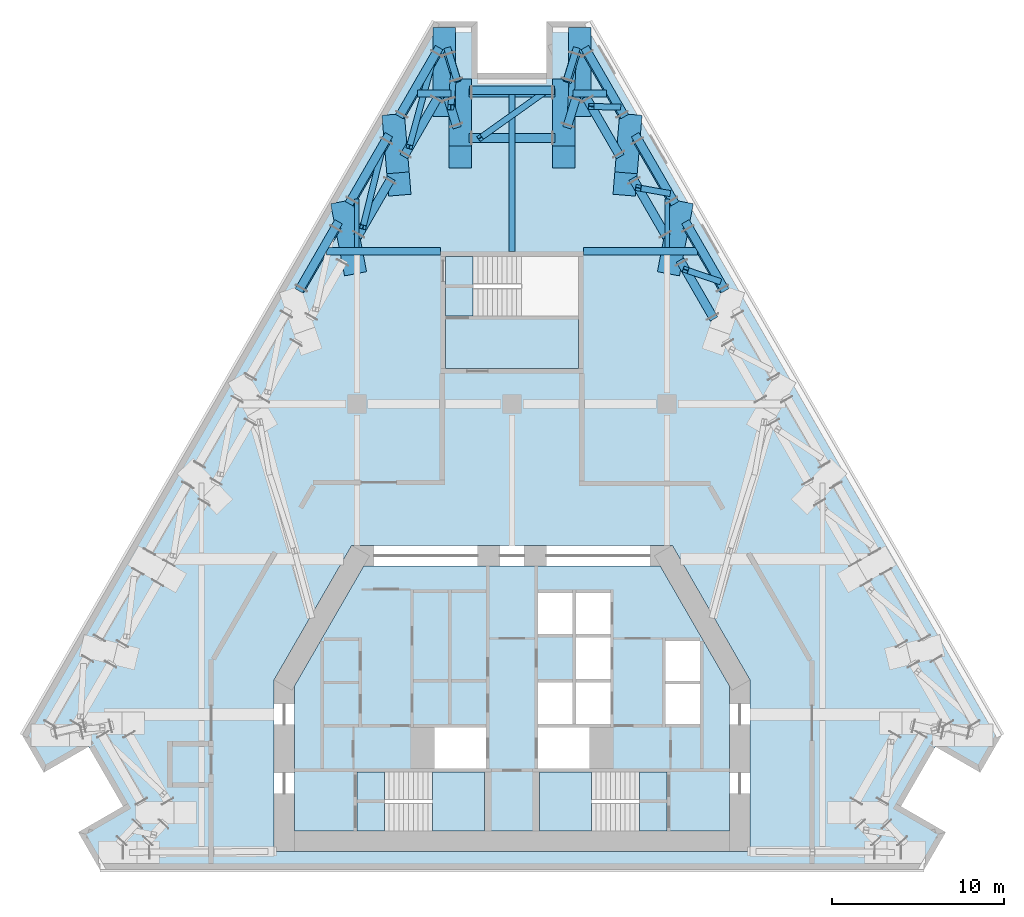
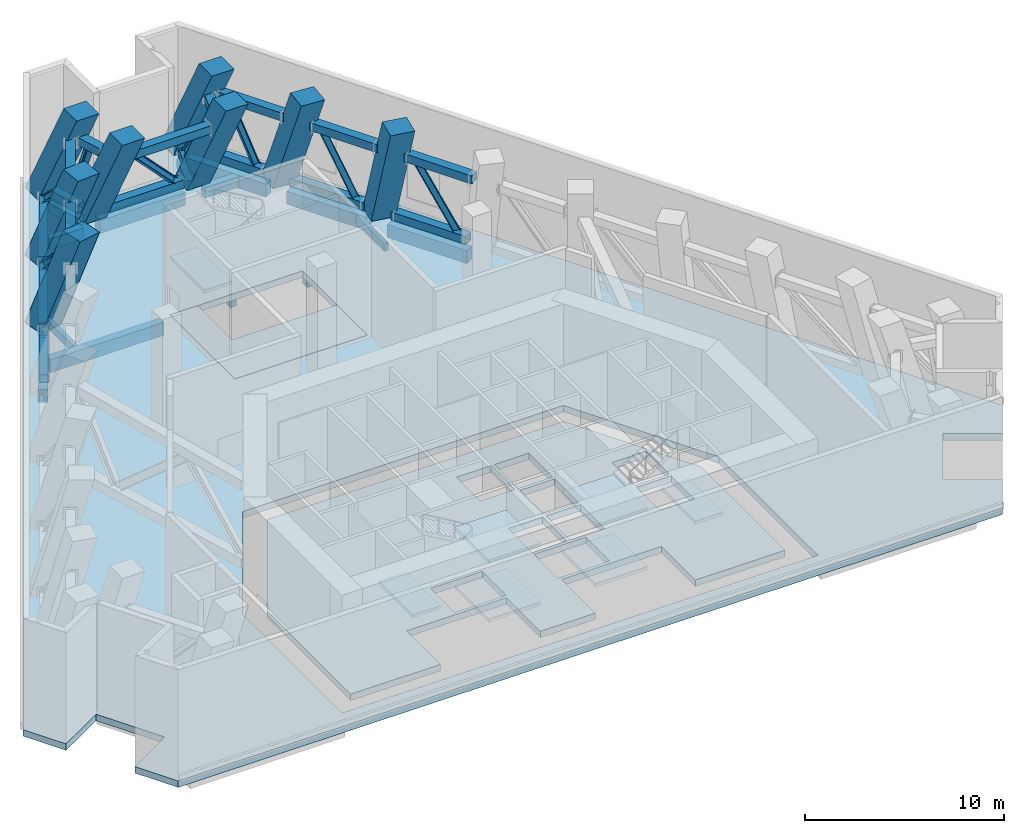
# One storey, part 3 of 13: 33 members, 16 beams, 10 slabs, 3 elements without a shape of their own.
"""IFC4 building model written with IfcOpenShell, lengths in metres."""

from ifc_helpers import new_model, si_unit, direction, frame, origin, origin_2d, place, context, subcontext, project, spatial, polyline, rectangle, hollow_rectangle, i_section, outline, extrude, material, layer, layer_set, material_profile, profile_set, type_object, element, aggregate, save


model = new_model("IFC4")

# Units and contexts
model_context = context("Model", 3, precision=1e-05, world=origin(), true_north=direction((0.0, 1.0)))
body_context = subcontext(model_context, "Body", "Model", "MODEL_VIEW")
ifc_project = project(units=[si_unit("LENGTHUNIT", "METRE"), si_unit("AREAUNIT", "SQUARE_METRE"), si_unit("VOLUMEUNIT", "CUBIC_METRE"), si_unit("PLANEANGLEUNIT", "RADIAN"), si_unit("MASSUNIT", "GRAM", prefix="KILO")], contexts=[model_context])

# Site, building, storey
site_placement = place(None, origin())
site = spatial("IfcSite", under=ifc_project, at=site_placement, CompositionType="ELEMENT")
building_placement = place(site_placement, origin())
building = spatial("IfcBuilding", under=site, at=building_placement, Name="Fogline Exchange Tower", CompositionType="ELEMENT")
storey_placement = place(building_placement, frame((0.0, 0.0, 174.89990234375)))
storey = spatial("IfcBuildingStorey", under=building, at=storey_placement, Name="L39", CompositionType="ELEMENT", Elevation=174.89990234375)

# Beams
ifc_material_1 = material(Name="Concrete C40", Category="concrete")
ifc_material_profile_1 = material_profile(ifc_material_1, rectangle(XDim=0.25, YDim=0.5, at=origin_2d()), Name="RC 250x500")
ifc_profile_set_1 = profile_set([ifc_material_profile_1], Name="Concrete C40")
beam_type_1 = type_object("IfcBeamType", Name="B08", PredefinedType="BEAM", material=ifc_profile_set_1)
for number, where, z_axis, x_axis, name in (
    (1, (-9.0, 36.08203125, -0.64990234375), (0.0, 1.0, 0.0), (-1.0, 0.0, 0.0), "SB006"),
    (2, (9.0, 36.08203125, -0.64990234375), (0.0, 1.0, 0.0), (-1.0, 0.0, 0.0), "SB011"),
):
    element("IfcBeam", number, at=place(storey_placement, frame(where, z_axis=z_axis, x_axis=x_axis)), inside=storey, type_object=beam_type_1, Name=name, PredefinedType="BEAM", context=body_context, shape_type="SweptSolid", body=[
        extrude(rectangle(XDim=0.25, YDim=0.5, at=origin_2d()), origin(), (0.0, 0.0, 1.0), 2.8203125),
    ])
ifc_material_profile_2 = material_profile(ifc_material_1, rectangle(XDim=0.5, YDim=0.800048828125, at=origin_2d()), Name="RC 500x800")
ifc_profile_set_2 = profile_set([ifc_material_profile_2], Name="Concrete C40")
beam_type_2 = type_object("IfcBeamType", Name="B10", PredefinedType="BEAM", material=ifc_profile_set_2)
for number, where, z_axis, x_axis, name in (
    (3, (12.366943359375, 33.57080078125, -0.7998046875), (-0.500004591975, 0.86602275259, 0.0), (-0.86602275259, -0.500004591975, 0.0), "RB014"),
    (4, (9.451171875, 38.62109375, -0.7998046875), (-0.500004591975, 0.86602275259, 0.0), (-0.86602275259, -0.500004591975, 0.0), "RB015"),
    (5, (6.535400390625, 43.67138671875, -0.7998046875), (-0.500004591975, 0.86602275259, 0.0), (-0.86602275259, -0.500004591975, 0.0), "RB016"),
):
    element("IfcBeam", number, at=place(storey_placement, frame(where, z_axis=z_axis, x_axis=x_axis)), inside=storey, type_object=beam_type_2, Name=name, PredefinedType="BEAM", context=body_context, shape_type="SweptSolid", body=[
        extrude(rectangle(XDim=0.5, YDim=0.800048828125, at=origin_2d()), origin(), (0.0, 0.0, 1.0), 4.619140625),
    ])
beam_1_placement = place(storey_placement, frame((2.47509765625, 45.19677734375, -0.7998046875), z_axis=(-1.0, 0.0, 0.0), x_axis=(0.0, -1.0, 0.0)))
element("IfcBeam", 6, at=beam_1_placement, inside=storey, type_object=beam_type_2, Name="RB018", PredefinedType="BEAM", context=body_context, shape_type="SweptSolid", body=[
    extrude(rectangle(XDim=0.5, YDim=0.800048828125, at=origin_2d()), origin(), (0.0, 0.0, 1.0), 4.9501953125),
])
for number, where, z_axis, x_axis, name in (
    (7, (-4.225830078125, 47.671630859375, -0.7998046875), (-0.500004591975, -0.86602275259, 0.0), (0.86602275259, -0.500004591975, 0.0), "RB020"),
    (8, (-7.1416015625, 42.621337890625, -0.7998046875), (-0.500004591975, -0.86602275259, 0.0), (0.86602275259, -0.500004591975, 0.0), "RB021"),
    (9, (-10.057373046875, 37.571044921875, -0.7998046875), (-0.500004591975, -0.86602275259, 0.0), (0.86602275259, -0.500004591975, 0.0), "RB022"),
):
    element("IfcBeam", number, at=place(storey_placement, frame(where, z_axis=z_axis, x_axis=x_axis)), inside=storey, type_object=beam_type_2, Name=name, PredefinedType="BEAM", context=body_context, shape_type="SweptSolid", body=[
        extrude(rectangle(XDim=0.5, YDim=0.800048828125, at=origin_2d()), origin(), (0.0, 0.0, 1.0), 4.619140625),
    ])
ifc_material_profile_3 = material_profile(ifc_material_1, rectangle(XDim=0.39990234375, YDim=0.60009765625, at=origin_2d()), Name="RC 400x600")
ifc_profile_set_3 = profile_set([ifc_material_profile_3], Name="Concrete C40")
beam_type_3 = type_object("IfcBeamType", Name="B11", PredefinedType="BEAM", material=ifc_profile_set_3)
for number, where, z_axis, x_axis, name in (
    (10, (3.76123046875, 47.671630859375, -0.699951171875), (-0.293917654764, -0.955830744545, 0.0), (0.955830744545, -0.293917654764, 0.0), "RB017"),
    (11, (-3.16162109375, 45.7216796875, -0.699951171875), (-0.293917654764, 0.955830744545, 0.0), (-0.955830744545, -0.293917654764, 0.0), "RB019"),
):
    element("IfcBeam", number, at=place(storey_placement, frame(where, z_axis=z_axis, x_axis=x_axis)), inside=storey, type_object=beam_type_3, Name=name, PredefinedType="BEAM", context=body_context, shape_type="SweptSolid", body=[
        extrude(rectangle(XDim=0.39990234375, YDim=0.60009765625, at=origin_2d()), origin(), (0.0, 0.0, 1.0), 2.0400390625),
    ])
ifc_material_profile_4 = material_profile(ifc_material_1, rectangle(XDim=0.39990234375, YDim=0.64990234375, at=origin_2d()), Name="RC 400x650")
ifc_profile_set_4 = profile_set([ifc_material_profile_4], Name="Concrete C40")
beam_type_4 = type_object("IfcBeamType", Name="B13", PredefinedType="BEAM", material=ifc_profile_set_4)
for number, where, z_axis, x_axis, name in (
    (12, (-5.4794921875, 45.0, -0.724853515625), (1.0, 0.0, 0.0), (0.0, 1.0, 0.0), "GB011"),
    (13, (3.52490234375, 45.0, -0.724853515625), (1.0, 0.0, 0.0), (0.0, 1.0, 0.0), "GB012"),
):
    element("IfcBeam", number, at=place(storey_placement, frame(where, z_axis=z_axis, x_axis=x_axis)), inside=storey, type_object=beam_type_4, Name=name, PredefinedType="BEAM", context=body_context, shape_type="SweptSolid", body=[
        extrude(rectangle(XDim=0.39990234375, YDim=0.64990234375, at=origin_2d()), origin(), (0.0, 0.0, 1.0), 1.95458984375),
    ])
ifc_material_profile_5 = material_profile(ifc_material_1, rectangle(XDim=0.35009765625, YDim=0.64990234375, at=origin_2d()), Name="RC 350x650")
ifc_profile_set_5 = profile_set([ifc_material_profile_5], Name="Concrete C40")
beam_type_5 = type_object("IfcBeamType", Name="B16", PredefinedType="BEAM", material=ifc_profile_set_5)
beam_2_placement = place(storey_placement, frame((0.0, 35.85693359375, -0.724853515625), z_axis=(0.0, 1.0, 0.0), x_axis=(-1.0, 0.0, 0.0)))
element("IfcBeam", 14, at=beam_2_placement, inside=storey, type_object=beam_type_5, Name="SB008", PredefinedType="BEAM", context=body_context, shape_type="SweptSolid", body=[
    extrude(rectangle(XDim=0.35009765625, YDim=0.64990234375, at=origin_2d()), origin(), (0.0, 0.0, 1.0), 9.08984375),
])
ifc_material_profile_6 = material_profile(ifc_material_1, rectangle(XDim=0.449951171875, YDim=0.800048828125, at=origin_2d()), Name="RC 450x800")
ifc_profile_set_6 = profile_set([ifc_material_profile_6], Name="Concrete C40")
beam_type_6 = type_object("IfcBeamType", Name="B18", PredefinedType="BEAM", material=ifc_profile_set_6)
for number, where, z_axis, x_axis, name in (
    (15, (-10.75830078125, 35.85693359375, -0.7998046875), (1.0, 0.0, 0.0), (0.0, 1.0, 0.0), "GB009"),
    (16, (4.14990234375, 35.85693359375, -0.7998046875), (1.0, 0.0, 0.0), (0.0, 1.0, 0.0), "GB010"),
):
    element("IfcBeam", number, at=place(storey_placement, frame(where, z_axis=z_axis, x_axis=x_axis)), inside=storey, type_object=beam_type_6, Name=name, PredefinedType="BEAM", context=body_context, shape_type="SweptSolid", body=[
        extrude(rectangle(XDim=0.449951171875, YDim=0.800048828125, at=origin_2d()), origin(), (0.0, 0.0, 1.0), 6.6083984375),
    ])

# Members
ifc_material_2 = material(Name="Steel Q355B", Category="steel")
ifc_material_profile_7 = material_profile(ifc_material_2, hollow_rectangle(XDim=0.5, YDim=0.5, WallThickness=0.02490234375, at=origin_2d()), Name="BOX500X500X25")
ifc_profile_set_7 = profile_set([ifc_material_profile_7], Name="Steel Q355B")
member_type_1 = type_object("IfcMemberType", Name="M05", PredefinedType="CHORD", material=ifc_profile_set_7)
member_1_placement = place(storey_placement, frame((12.285888671875, 33.576416015625, 0.25), z_axis=(-0.499971774539, 0.866041699148, 0.0), x_axis=(-0.866041699148, -0.499971774539, 0.0)))
element("IfcMember", 17, at=member_1_placement, inside=storey, type_object=member_type_1, Name="Belt truss chord BT13-1-BC", PredefinedType="CHORD", context=body_context, shape_type="SweptSolid", body=[
    extrude(hollow_rectangle(XDim=0.5, YDim=0.5, WallThickness=0.02490234375, at=origin_2d()), origin(), (0.0, 0.0, 1.0), 4.322998046875),
])
member_2_placement = place(storey_placement, frame((11.7158203125, 31.930419921875, 5.150146484375), z_axis=(-0.500008319083, 0.866020600706, 0.0), x_axis=(-0.866020600706, -0.500008319083, 0.0)))
element("IfcMember", 18, at=member_2_placement, inside=storey, type_object=member_type_1, Name="Belt truss chord BT13-1-TC", PredefinedType="CHORD", context=body_context, shape_type="SweptSolid", body=[
    extrude(hollow_rectangle(XDim=0.5, YDim=0.5, WallThickness=0.02490234375, at=origin_2d()), origin(), (0.0, 0.0, 1.0), 3.94287109375),
])
member_3_placement = place(storey_placement, frame((9.34521484375, 38.67041015625, 0.25), z_axis=(-0.500039660922, 0.86600250433, 0.0), x_axis=(-0.86600250433, -0.500039660922, 0.0)))
element("IfcMember", 19, at=member_3_placement, inside=storey, type_object=member_type_1, Name="Belt truss chord BT14-1-BC", PredefinedType="CHORD", context=body_context, shape_type="SweptSolid", body=[
    extrude(hollow_rectangle(XDim=0.5, YDim=0.5, WallThickness=0.02490234375, at=origin_2d()), origin(), (0.0, 0.0, 1.0), 4.308349609375),
])
member_4_placement = place(storey_placement, frame((8.96484375, 36.695068359375, 5.150146484375), z_axis=(-0.499962770326, 0.86604689728, 0.0), x_axis=(-0.86604689728, -0.499962770326, 0.0)))
element("IfcMember", 20, at=member_4_placement, inside=storey, type_object=member_type_1, Name="Belt truss chord BT14-1-TC", PredefinedType="CHORD", context=body_context, shape_type="SweptSolid", body=[
    extrude(hollow_rectangle(XDim=0.5, YDim=0.5, WallThickness=0.02490234375, at=origin_2d()), origin(), (0.0, 0.0, 1.0), 3.927978515625),
])
member_5_placement = place(storey_placement, frame((6.466552734375, 43.656005859375, 0.25), z_axis=(-0.500006757851, 0.866021502102, 0.0), x_axis=(-0.866021502102, -0.500006757851, 0.0)))
element("IfcMember", 21, at=member_5_placement, inside=storey, type_object=member_type_1, Name="Belt truss chord BT15-1-BC", PredefinedType="CHORD", context=body_context, shape_type="SweptSolid", body=[
    extrude(hollow_rectangle(XDim=0.5, YDim=0.5, WallThickness=0.02490234375, at=origin_2d()), origin(), (0.0, 0.0, 1.0), 4.3857421875),
])
member_6_placement = place(storey_placement, frame((6.276611328125, 41.3515625, 5.150146484375), z_axis=(-0.500019656837, 0.866014054607, 0.0), x_axis=(-0.866014054607, -0.500019656837, 0.0)))
element("IfcMember", 22, at=member_6_placement, inside=storey, type_object=member_type_1, Name="Belt truss chord BT15-1-TC", PredefinedType="CHORD", context=body_context, shape_type="SweptSolid", body=[
    extrude(hollow_rectangle(XDim=0.5, YDim=0.5, WallThickness=0.02490234375, at=origin_2d()), origin(), (0.0, 0.0, 1.0), 4.005615234375),
])
member_7_placement = place(storey_placement, frame((3.73974609375, 47.4677734375, 0.25), z_axis=(-0.293913807839, -0.955831927465, 0.0), x_axis=(0.955831927465, -0.293913807839, 0.0)))
element("IfcMember", 23, at=member_7_placement, inside=storey, type_object=member_type_1, Name="Belt truss chord BT16-1-BC", PredefinedType="CHORD", context=body_context, shape_type="SweptSolid", body=[
    extrude(hollow_rectangle(XDim=0.5, YDim=0.5, WallThickness=0.02490234375, at=origin_2d()), origin(), (0.0, 0.0, 1.0), 1.894775390625),
])
member_8_placement = place(storey_placement, frame((3.73974609375, 44.833984375, 5.150146484375), z_axis=(-0.293950011058, -0.955820794396, 0.0), x_axis=(0.955820794396, -0.293950011058, 0.0)))
element("IfcMember", 24, at=member_8_placement, inside=storey, type_object=member_type_1, Name="Belt truss chord BT16-1-TC", PredefinedType="CHORD", context=body_context, shape_type="SweptSolid", body=[
    extrude(hollow_rectangle(XDim=0.5, YDim=0.5, WallThickness=0.02490234375, at=origin_2d()), origin(), (0.0, 0.0, 1.0), 1.89453125),
])
for number, where, z_axis, x_axis, name in (
    (25, (2.5, 45.062255859375, 0.25), (-1.0, 0.0, 0.0), (0.0, -1.0, 0.0), "Belt truss chord BT17-1-BC"),
    (26, (2.5, 42.428466796875, 5.150146484375), (-1.0, 0.0, 0.0), (0.0, -1.0, 0.0), "Belt truss chord BT17-1-TC"),
):
    element("IfcMember", number, at=place(storey_placement, frame(where, z_axis=z_axis, x_axis=x_axis)), inside=storey, type_object=member_type_1, Name=name, PredefinedType="CHORD", context=body_context, shape_type="SweptSolid", body=[
        extrude(hollow_rectangle(XDim=0.5, YDim=0.5, WallThickness=0.02490234375, at=origin_2d()), origin(), (0.0, 0.0, 1.0), 5.0),
    ])
member_9_placement = place(storey_placement, frame((-3.182861328125, 45.65673828125, 0.25), z_axis=(-0.293913807839, 0.955831927465, 0.0), x_axis=(-0.955831927465, -0.293913807839, 0.0)))
element("IfcMember", 27, at=member_9_placement, inside=storey, type_object=member_type_1, Name="Belt truss chord BT18-1-BC", PredefinedType="CHORD", context=body_context, shape_type="SweptSolid", body=[
    extrude(hollow_rectangle(XDim=0.5, YDim=0.5, WallThickness=0.02490234375, at=origin_2d()), origin(), (0.0, 0.0, 1.0), 1.894775390625),
])
member_10_placement = place(storey_placement, frame((-3.182861328125, 43.023193359375, 5.150146484375), z_axis=(-0.293950011058, 0.955820794396, 0.0), x_axis=(-0.955820794396, -0.293950011058, 0.0)))
element("IfcMember", 28, at=member_10_placement, inside=storey, type_object=member_type_1, Name="Belt truss chord BT18-1-TC", PredefinedType="CHORD", context=body_context, shape_type="SweptSolid", body=[
    extrude(hollow_rectangle(XDim=0.5, YDim=0.5, WallThickness=0.02490234375, at=origin_2d()), origin(), (0.0, 0.0, 1.0), 1.89453125),
])
member_11_placement = place(storey_placement, frame((-4.273681640625, 47.4541015625, 0.25), z_axis=(-0.500006757851, -0.866021502102, 0.0), x_axis=(0.866021502102, -0.500006757851, 0.0)))
element("IfcMember", 29, at=member_11_placement, inside=storey, type_object=member_type_1, Name="Belt truss chord BT19-1-BC", PredefinedType="CHORD", context=body_context, shape_type="SweptSolid", body=[
    extrude(hollow_rectangle(XDim=0.5, YDim=0.5, WallThickness=0.02490234375, at=origin_2d()), origin(), (0.0, 0.0, 1.0), 4.3857421875),
])
member_12_placement = place(storey_placement, frame((-4.273681640625, 44.820556640625, 5.150146484375), z_axis=(-0.500019656837, -0.866014054607, 0.0), x_axis=(0.866014054607, -0.500019656837, 0.0)))
element("IfcMember", 30, at=member_12_placement, inside=storey, type_object=member_type_1, Name="Belt truss chord BT19-1-TC", PredefinedType="CHORD", context=body_context, shape_type="SweptSolid", body=[
    extrude(hollow_rectangle(XDim=0.5, YDim=0.5, WallThickness=0.02490234375, at=origin_2d()), origin(), (0.0, 0.0, 1.0), 4.005615234375),
])
member_13_placement = place(storey_placement, frame((-7.19091796875, 42.4013671875, 0.25), z_axis=(-0.500039660922, -0.86600250433, 0.0), x_axis=(0.86600250433, -0.500039660922, 0.0)))
element("IfcMember", 31, at=member_13_placement, inside=storey, type_object=member_type_1, Name="Belt truss chord BT20-1-BC", PredefinedType="CHORD", context=body_context, shape_type="SweptSolid", body=[
    extrude(hollow_rectangle(XDim=0.5, YDim=0.5, WallThickness=0.02490234375, at=origin_2d()), origin(), (0.0, 0.0, 1.0), 4.308349609375),
])
member_14_placement = place(storey_placement, frame((-7.0009765625, 40.096923828125, 5.150146484375), z_axis=(-0.499962770326, -0.86604689728, 0.0), x_axis=(0.86604689728, -0.499962770326, 0.0)))
element("IfcMember", 32, at=member_14_placement, inside=storey, type_object=member_type_1, Name="Belt truss chord BT20-1-TC", PredefinedType="CHORD", context=body_context, shape_type="SweptSolid", body=[
    extrude(hollow_rectangle(XDim=0.5, YDim=0.5, WallThickness=0.02490234375, at=origin_2d()), origin(), (0.0, 0.0, 1.0), 3.927978515625),
])
member_15_placement = place(storey_placement, frame((-10.12451171875, 37.3203125, 0.25), z_axis=(-0.499971774539, -0.866041699148, 0.0), x_axis=(0.866041699148, -0.499971774539, 0.0)))
element("IfcMember", 33, at=member_15_placement, inside=storey, type_object=member_type_1, Name="Belt truss chord BT21-1-BC", PredefinedType="CHORD", context=body_context, shape_type="SweptSolid", body=[
    extrude(hollow_rectangle(XDim=0.5, YDim=0.5, WallThickness=0.02490234375, at=origin_2d()), origin(), (0.0, 0.0, 1.0), 4.322998046875),
])
ifc_material_profile_8 = material_profile(ifc_material_2, i_section(OverallWidth=0.35009765625, OverallDepth=0.35009765625, WebThickness=0.011962890625, FlangeThickness=0.01904296875, FilletRadius=0.02001953125, at=origin_2d()), Name="HW350X350X12X19")
ifc_profile_set_8 = profile_set([ifc_material_profile_8], Name="Steel Q355B")
member_type_2 = type_object("IfcMemberType", Name="M06", PredefinedType="BRACE", material=ifc_profile_set_8)
member_16_placement = place(storey_placement, frame((11.9609375, 34.139404296875, 0.5), z_axis=(-0.391439229623, 0.132972128597, 0.910545848669), x_axis=(-0.32164858035, -0.94685911875, 0.0)))
element("IfcMember", 34, at=member_16_placement, inside=storey, type_object=member_type_2, Name="Belt truss diagonal BT13-1-D1", PredefinedType="BRACE", context=body_context, shape_type="SweptSolid", body=[
    extrude(i_section(OverallWidth=0.35009765625, OverallDepth=0.35009765625, WebThickness=0.011962890625, FlangeThickness=0.01904296875, FilletRadius=0.02001953125, at=origin_2d()), origin(), (0.0, 0.0, 1.0), 4.83251953125),
])
member_17_placement = place(storey_placement, frame((9.02001953125, 39.2333984375, 0.5), z_axis=(-0.35857060259, 0.063611530738, 0.931332752627), x_axis=(-0.174675692829, -0.984626021561, 0.0)))
element("IfcMember", 35, at=member_17_placement, inside=storey, type_object=member_type_2, Name="Belt truss diagonal BT14-1-D1", PredefinedType="BRACE", context=body_context, shape_type="SweptSolid", body=[
    extrude(i_section(OverallWidth=0.35009765625, OverallDepth=0.35009765625, WebThickness=0.011962890625, FlangeThickness=0.01904296875, FilletRadius=0.02001953125, at=origin_2d()), origin(), (0.0, 0.0, 1.0), 4.724609375),
])
member_18_placement = place(storey_placement, frame((6.1416015625, 44.218994140625, 0.5), z_axis=(-0.330896450209, 0.008272411255, 0.943630810461), x_axis=(-0.02499219116, -0.999687646408, 0.0)))
element("IfcMember", 36, at=member_18_placement, inside=storey, type_object=member_type_2, Name="Belt truss diagonal BT15-1-D1", PredefinedType="BRACE", context=body_context, shape_type="SweptSolid", body=[
    extrude(i_section(OverallWidth=0.35009765625, OverallDepth=0.35009765625, WebThickness=0.011962890625, FlangeThickness=0.01904296875, FilletRadius=0.02001953125, at=origin_2d()), origin(), (0.0, 0.0, 1.0), 4.6630859375),
])
member_19_placement = place(storey_placement, frame((3.548583984375, 46.846435546875, 0.5), z_axis=(-0.032105020334, -0.588113752379, 0.808140756262), x_axis=(0.998513298114, -0.054508655188, 0.0)))
element("IfcMember", 37, at=member_19_placement, inside=storey, type_object=member_type_2, Name="Belt truss diagonal BT16-1-D1", PredefinedType="BRACE", context=body_context, shape_type="SweptSolid", body=[
    extrude(i_section(OverallWidth=0.35009765625, OverallDepth=0.35009765625, WebThickness=0.011962890625, FlangeThickness=0.01904296875, FilletRadius=0.02001953125, at=origin_2d()), origin(), (0.0, 0.0, 1.0), 5.44482421875),
])
member_20_placement = place(storey_placement, frame((1.85009765625, 45.062255859375, 0.5), z_axis=(-0.585128472107, -0.416492871278, 0.695814888677), x_axis=(0.579895012904, -0.814691213902, 0.0)))
element("IfcMember", 38, at=member_20_placement, inside=storey, type_object=member_type_2, Name="Belt truss diagonal BT17-1-D1", PredefinedType="BRACE", context=body_context, shape_type="SweptSolid", body=[
    extrude(i_section(OverallWidth=0.35009765625, OverallDepth=0.35009765625, WebThickness=0.011962890625, FlangeThickness=0.01904296875, FilletRadius=0.02001953125, at=origin_2d()), origin(), (0.0, 0.0, 1.0), 6.32373046875),
])
member_21_placement = place(storey_placement, frame((-3.373779296875, 46.278076171875, 0.5), z_axis=(-0.035938957751, -0.424641875108, 0.90464781502), x_axis=(0.996437705168, -0.084332080012, 0.0)))
element("IfcMember", 39, at=member_21_placement, inside=storey, type_object=member_type_2, Name="Belt truss diagonal BT18-1-D1", PredefinedType="BRACE", context=body_context, shape_type="SweptSolid", body=[
    extrude(i_section(OverallWidth=0.35009765625, OverallDepth=0.35009765625, WebThickness=0.011962890625, FlangeThickness=0.01904296875, FilletRadius=0.02001953125, at=origin_2d()), origin(), (0.0, 0.0, 1.0), 4.864013671875),
])
member_22_placement = place(storey_placement, frame((-4.5986328125, 46.891357421875, 0.5), z_axis=(-0.199543961504, -0.734110026216, 0.649049055801), x_axis=(0.964986328211, -0.262300183695, 0.0)))
element("IfcMember", 40, at=member_22_placement, inside=storey, type_object=member_type_2, Name="Belt truss diagonal BT19-1-D1", PredefinedType="BRACE", context=body_context, shape_type="SweptSolid", body=[
    extrude(i_section(OverallWidth=0.35009765625, OverallDepth=0.35009765625, WebThickness=0.011962890625, FlangeThickness=0.01904296875, FilletRadius=0.02001953125, at=origin_2d()), origin(), (0.0, 0.0, 1.0), 6.779296875),
])
member_23_placement = place(storey_placement, frame((-7.515869140625, 41.83837890625, 0.5), z_axis=(-0.174259227968, -0.710132848641, 0.68216204728), x_axis=(0.971186886835, -0.238319178498, 0.0)))
element("IfcMember", 41, at=member_23_placement, inside=storey, type_object=member_type_2, Name="Belt truss diagonal BT20-1-D1", PredefinedType="BRACE", context=body_context, shape_type="SweptSolid", body=[
    extrude(i_section(OverallWidth=0.35009765625, OverallDepth=0.35009765625, WebThickness=0.011962890625, FlangeThickness=0.01904296875, FilletRadius=0.02001953125, at=origin_2d()), origin(), (0.0, 0.0, 1.0), 6.4501953125),
])
ifc_material_3 = material(Name="Concrete C60", Category="concrete")
ifc_material_profile_9 = material_profile(ifc_material_3, rectangle(XDim=1.300048828125, YDim=1.300048828125, at=origin_2d()), Name="RC 1300x1300")
ifc_profile_set_9 = profile_set([ifc_material_profile_9], Name="Concrete C60")
member_type_3 = type_object("IfcMemberType", Name="RP02", PredefinedType="POST", material=ifc_profile_set_9)
member_24_placement = place(storey_placement, frame((9.754150390625, 38.095947265625, 0.0), z_axis=(0.0, 0.0, 1.0), x_axis=(0.981993482594, -0.188914795987, 0.0)))
element("IfcMember", 42, at=member_24_placement, inside=storey, type_object=member_type_3, Name="E6", PredefinedType="POST", context=body_context, shape_type="SweptSolid", body=[
    extrude(rectangle(XDim=1.300048828125, YDim=1.300048828125, at=origin_2d()), origin(), (0.0, -0.3797363593, 0.925094750512), 7.783203125),
])
member_25_placement = place(storey_placement, frame((6.83837890625, 43.146240234375, 0.0), z_axis=(0.0, 0.0, 1.0), x_axis=(0.996615767917, -0.082201040988, 0.0)))
element("IfcMember", 43, at=member_25_placement, inside=storey, type_object=member_type_3, Name="E7", PredefinedType="POST", context=body_context, shape_type="SweptSolid", body=[
    extrude(rectangle(XDim=1.300048828125, YDim=1.300048828125, at=origin_2d()), origin(), (0.0, -0.426763601783, 0.904363216962), 7.961669921875),
])
for number, where, z_axis, x_axis, name in (
    (44, (3.922607421875, 48.19677734375, 0.0), (0.0, 0.0, 1.0), (1.0, 0.0, 0.0), "N-a"),
    (45, (3.0, 45.19677734375, 0.0), (0.0, 0.0, 1.0), (1.0, 0.0, 0.0), "N-p4"),
    (46, (-3.0, 45.19677734375, 0.0), (0.0, 0.0, 1.0), (1.0, 0.0, 0.0), "N-p3"),
    (47, (-3.922607421875, 48.19677734375, 0.0), (0.0, 0.0, 1.0), (1.0, 0.0, 0.0), "N-b"),
):
    element("IfcMember", number, at=place(storey_placement, frame(where, z_axis=z_axis, x_axis=x_axis)), inside=storey, type_object=member_type_3, Name=name, PredefinedType="POST", context=body_context, shape_type="SweptSolid", body=[
        extrude(rectangle(XDim=1.300048828125, YDim=1.300048828125, at=origin_2d()), origin(), (0.0, -0.473444271995, 0.880823774267), 8.17431640625),
    ])
member_26_placement = place(storey_placement, frame((-6.83837890625, 43.146240234375, 0.0), z_axis=(0.0, 0.0, 1.0), x_axis=(0.996615767917, 0.082201040988, 0.0)))
element("IfcMember", 48, at=member_26_placement, inside=storey, type_object=member_type_3, Name="W1", PredefinedType="POST", context=body_context, shape_type="SweptSolid", body=[
    extrude(rectangle(XDim=1.300048828125, YDim=1.300048828125, at=origin_2d()), origin(), (0.0, -0.426763601783, 0.904363216962), 7.961669921875),
])
member_27_placement = place(storey_placement, frame((-9.754150390625, 38.095947265625, 0.0), z_axis=(0.0, 0.0, 1.0), x_axis=(0.981993482594, 0.188914795987, 0.0)))
element("IfcMember", 49, at=member_27_placement, inside=storey, type_object=member_type_3, Name="W2", PredefinedType="POST", context=body_context, shape_type="SweptSolid", body=[
    extrude(rectangle(XDim=1.300048828125, YDim=1.300048828125, at=origin_2d()), origin(), (0.0, -0.3797363593, 0.925094750512), 7.783203125),
])

# Slabs
ifc_layer_1 = layer(ifc_material_1, 0.39990234375)
ifc_layer_set_1 = layer_set([ifc_layer_1], Name="S03")
slab_type_1 = type_object("IfcSlabType", Name="S03", PredefinedType="FLOOR", material=ifc_layer_set_1)
slab_1_placement = place(storey_placement, frame((0.0, 0.0, -0.39990234375)))
element("IfcSlab", 50, at=slab_1_placement, inside=storey, type_object=slab_type_1, Name="SLAB L39", PredefinedType="FLOOR", context=body_context, shape_type="SweptSolid", body=[
    extrude(outline(polyline([(-2.0, 49.19677734375), (-4.5, 49.19677734375), (-28.40380859375, 7.794189453125), (-27.15380859375, 5.629150390625), (-24.5556640625, 7.129150390625), (-22.5556640625, 3.6650390625), (-25.15380859375, 2.1650390625), (-23.90380859375, 0.0), (23.90380859375, 0.0), (25.15380859375, 2.1650390625), (22.5556640625, 3.6650390625), (24.5556640625, 7.129150390625), (27.15380859375, 5.629150390625), (28.40380859375, 7.794189453125), (4.5, 49.19677734375), (2.0, 49.19677734375), (2.0, 46.19677734375), (-2.0, 46.19677734375), (-2.0, 49.19677734375)]), holes=[polyline([(13.800048828125, 10.9990234375), (13.800048828125, 1.050048828125), (-13.800048828125, 1.050048828125), (-13.800048828125, 10.9990234375), (-9.296142578125, 18.800048828125), (9.296142578125, 18.800048828125), (13.800048828125, 10.9990234375)]), polyline([(3.85009765625, 35.556884765625), (3.85009765625, 29.056884765625), (-3.85009765625, 29.056884765625), (-3.85009765625, 35.556884765625), (3.85009765625, 35.556884765625)])]), origin(), (0.0, 0.0, 1.0), 0.39990234375),
])
slab_2_placement = place(storey_placement, frame((0.0, 0.0, -0.39990234375)))
element("IfcSlab", 51, at=slab_2_placement, inside=storey, type_object=slab_type_1, Name="Core floor slab", PredefinedType="FLOOR", context=body_context, shape_type="SweptSolid", body=[
    extrude(outline(polyline([(-12.60009765625, 2.25), (-12.60009765625, 10.677490234375), (-8.603271484375, 17.60009765625), (8.603271484375, 17.60009765625), (12.60009765625, 10.677490234375), (12.60009765625, 2.25), (7.389892578125, 2.25), (7.389892578125, 5.64990234375), (1.60009765625, 5.64990234375), (1.60009765625, 2.25), (-1.60009765625, 2.25), (-1.60009765625, 5.64990234375), (-7.389892578125, 5.64990234375), (-7.389892578125, 2.25), (-12.60009765625, 2.25)]), holes=[polyline([(-4.5, 8.25), (-4.5, 5.85009765625), (-1.5, 5.85009765625), (-1.5, 8.25), (-4.5, 8.25)]), polyline([(4.5, 8.25), (1.5, 8.25), (1.5, 5.85009765625), (4.5, 5.85009765625), (4.5, 8.25)]), polyline([(3.5, 10.85009765625), (1.5, 10.85009765625), (1.5, 8.449951171875), (3.5, 8.449951171875), (3.5, 10.85009765625)]), polyline([(1.5, 16.050048828125), (1.5, 13.64990234375), (3.5, 13.64990234375), (3.5, 16.050048828125), (1.5, 16.050048828125)]), polyline([(10.89990234375, 10.75), (8.89990234375, 10.75), (8.89990234375, 8.449951171875), (10.89990234375, 8.449951171875), (10.89990234375, 10.75)]), polyline([(5.699951171875, 10.85009765625), (3.699951171875, 10.85009765625), (3.699951171875, 8.449951171875), (5.699951171875, 8.449951171875), (5.699951171875, 10.85009765625)]), polyline([(8.89990234375, 13.25), (8.89990234375, 10.949951171875), (10.89990234375, 10.949951171875), (10.89990234375, 13.25), (8.89990234375, 13.25)]), polyline([(5.699951171875, 13.449951171875), (3.699951171875, 13.449951171875), (3.699951171875, 11.050048828125), (5.699951171875, 11.050048828125), (5.699951171875, 13.449951171875)]), polyline([(5.699951171875, 16.050048828125), (3.699951171875, 16.050048828125), (3.699951171875, 13.64990234375), (5.699951171875, 13.64990234375), (5.699951171875, 16.050048828125)])]), origin(), (0.0, 0.0, 1.0), 0.39990234375),
])
slab_3_placement = place(storey_placement, frame((0.0, 0.0, -0.39990234375)))
element("IfcSlab", 52, at=slab_3_placement, inside=storey, type_object=slab_type_1, Name="Stair enclosure floor slab", PredefinedType="FLOOR", context=body_context, shape_type="SweptSolid", body=[
    extrude(outline(polyline([(3.85009765625, 29.056884765625), (-3.85009765625, 29.056884765625), (-3.85009765625, 35.556884765625), (-2.239990234375, 35.556884765625), (-2.239990234375, 32.10693359375), (3.85009765625, 32.10693359375), (3.85009765625, 29.056884765625)])), origin(), (0.0, 0.0, 1.0), 0.39990234375),
])

# Stair, slabs
stair_type = type_object("IfcStairType", Name="STR44-1636", PredefinedType="HALF_TURN_STAIR", material=ifc_material_1)
stair_1_placement = place(storey_placement, origin())
stair_1 = element("IfcStair", 53, at=stair_1_placement, inside=storey, type_object=stair_type, Name="Stair ST1", PredefinedType="HALF_TURN_STAIR")
ifc_layer_2 = layer(ifc_material_1, 0.199951171875)
ifc_layer_set_2 = layer_set([ifc_layer_2], Name="SL200")
slab_type_2 = type_object("IfcSlabType", Name="SL200", PredefinedType="LANDING", material=ifc_layer_set_2)
slab_4_placement = place(storey_placement, frame((0.0, 0.0, 1.60009765625)))
slab_4 = element("IfcSlab", 54, at=slab_4_placement, type_object=slab_type_2, Name="ST1 landing 1", PredefinedType="LANDING", context=body_context, shape_type="SweptSolid", body=[
    extrude(outline(polyline([(-4.60009765625, 2.25), (-1.60009765625, 2.25), (-1.60009765625, 5.64990234375), (-4.60009765625, 5.64990234375), (-4.60009765625, 2.25)])), origin(), (0.0, 0.0, 1.0), 0.199951171875),
])
slab_5_placement = place(storey_placement, frame((0.0, 0.0, 3.400146484375)))
slab_5 = element("IfcSlab", 55, at=slab_5_placement, type_object=slab_type_2, Name="ST1 landing 2", PredefinedType="LANDING", context=body_context, shape_type="SweptSolid", body=[
    extrude(outline(polyline([(-9.0, 2.25), (-7.39990234375, 2.25), (-7.39990234375, 5.64990234375), (-9.0, 5.64990234375), (-9.0, 2.25)])), origin(), (0.0, 0.0, 1.0), 0.199951171875),
])
slab_6_placement = place(storey_placement, frame((0.0, 0.0, 5.2001953125)))
slab_6 = element("IfcSlab", 56, at=slab_6_placement, type_object=slab_type_2, Name="ST1 landing 3", PredefinedType="LANDING", context=body_context, shape_type="SweptSolid", body=[
    extrude(outline(polyline([(-4.60009765625, 2.25), (-1.60009765625, 2.25), (-1.60009765625, 5.64990234375), (-4.60009765625, 5.64990234375), (-4.60009765625, 2.25)])), origin(), (0.0, 0.0, 1.0), 0.199951171875),
])
aggregate(stair_1, [slab_4, slab_5, slab_6])

stair_2_placement = place(storey_placement, origin())
stair_2 = element("IfcStair", 57, at=stair_2_placement, inside=storey, type_object=stair_type, Name="Stair ST2", PredefinedType="HALF_TURN_STAIR")
slab_7_placement = place(storey_placement, frame((0.0, 0.0, 1.60009765625)))
slab_7 = element("IfcSlab", 58, at=slab_7_placement, type_object=slab_type_2, Name="ST2 landing 1", PredefinedType="LANDING", context=body_context, shape_type="SweptSolid", body=[
    extrude(outline(polyline([(1.60009765625, 2.25), (4.60009765625, 2.25), (4.60009765625, 5.64990234375), (1.60009765625, 5.64990234375), (1.60009765625, 2.25)])), origin(), (0.0, 0.0, 1.0), 0.199951171875),
])
slab_8_placement = place(storey_placement, frame((0.0, 0.0, 3.400146484375)))
slab_8 = element("IfcSlab", 59, at=slab_8_placement, type_object=slab_type_2, Name="ST2 landing 2", PredefinedType="LANDING", context=body_context, shape_type="SweptSolid", body=[
    extrude(outline(polyline([(7.39990234375, 2.25), (9.0, 2.25), (9.0, 5.64990234375), (7.39990234375, 5.64990234375), (7.39990234375, 2.25)])), origin(), (0.0, 0.0, 1.0), 0.199951171875),
])
slab_9_placement = place(storey_placement, frame((0.0, 0.0, 5.2001953125)))
slab_9 = element("IfcSlab", 60, at=slab_9_placement, type_object=slab_type_2, Name="ST2 landing 3", PredefinedType="LANDING", context=body_context, shape_type="SweptSolid", body=[
    extrude(outline(polyline([(1.60009765625, 2.25), (4.60009765625, 2.25), (4.60009765625, 5.64990234375), (1.60009765625, 5.64990234375), (1.60009765625, 2.25)])), origin(), (0.0, 0.0, 1.0), 0.199951171875),
])
aggregate(stair_2, [slab_7, slab_8, slab_9])

# Stair, slab
stair_3_placement = place(storey_placement, origin())
stair_3 = element("IfcStair", 61, at=stair_3_placement, inside=storey, type_object=stair_type, Name="Stair ST3", PredefinedType="HALF_TURN_STAIR")
slab_10_placement = place(storey_placement, frame((0.0, 0.0, 3.400146484375)))
slab_10 = element("IfcSlab", 62, at=slab_10_placement, type_object=slab_type_2, Name="ST3 landing 2", PredefinedType="LANDING", context=body_context, shape_type="SweptSolid", body=[
    extrude(outline(polyline([(-3.85009765625, 32.10693359375), (-2.25, 32.10693359375), (-2.25, 35.556884765625), (-3.85009765625, 35.556884765625), (-3.85009765625, 32.10693359375)])), origin(), (0.0, 0.0, 1.0), 0.199951171875),
])
aggregate(stair_3, [slab_10])

save(model, "model.ifc")
